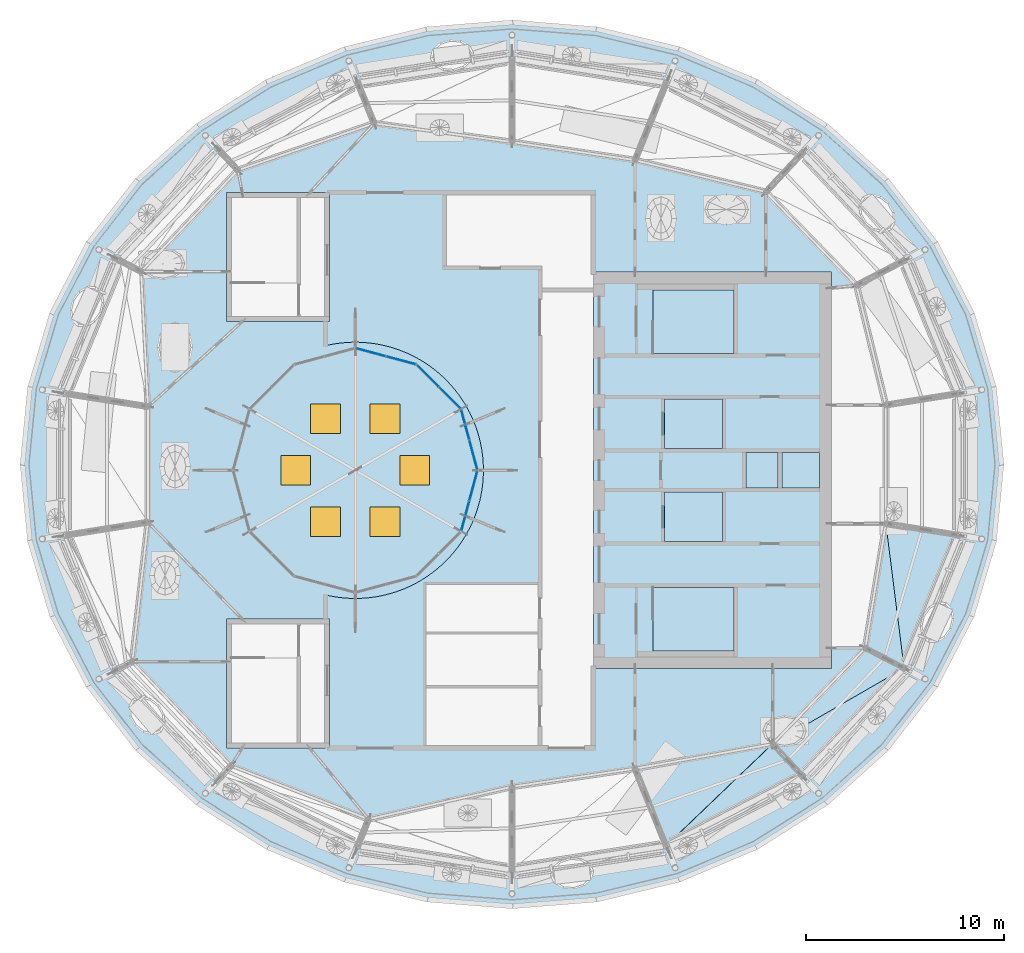
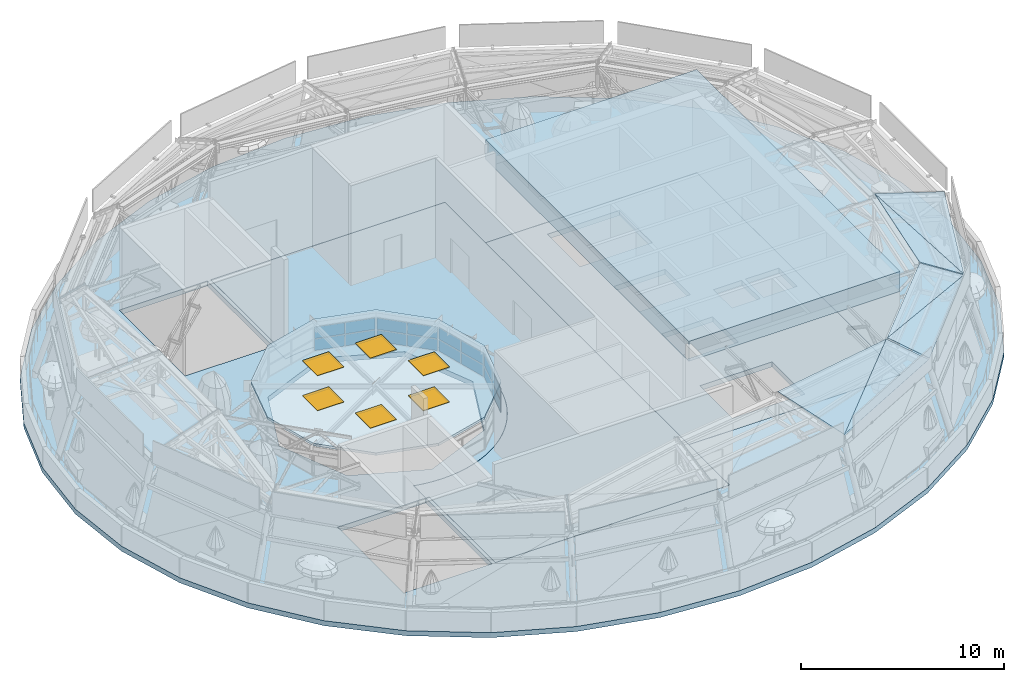
# One storey, part 15 of 40: 22 plates, 6 windows, 5 slabs, 6 openings, 4 elements without a shape of their own.
"""IFC4 building model written with IfcOpenShell, lengths in metres."""

import ifcopenshell
import ifcopenshell.guid

model = None  # the IFC model being written
_history = None  # IfcOwnerHistory: only IFC2X3 demands one
_inside = {}  # id of a spatial element -> (the spatial element, [elements in it])
_under = {}  # id of a project, library or spatial element -> (it, [spatial elements below it])
_declared = {}  # id of a project -> (the project, [libraries it declares])
_typed = {}  # id of a type object -> (the type object, [elements of that type])
_made_of = {}  # id of a material, layer set ... -> (it, [elements and type objects made of it])


def new_model(schema):
    """Start an empty IFC model of exactly this schema.

    Asked for "IFC4X3", IfcOpenShell would pick the latest addendum, in which some entities
    have other attributes; the version numbers below select the first issue.
    IFC2X3 requires an IfcOwnerHistory on every rooted entity: one is made here for all.
    """
    global model, _history
    if schema == "IFC4X3":
        model = ifcopenshell.file(schema_version=(4, 3, 0, 0))
    else:
        model = ifcopenshell.file(schema=schema)
    _inside.clear()
    _under.clear()
    _declared.clear()
    _typed.clear()
    _made_of.clear()
    _history = None
    if model.schema == "IFC2X3":
        org = make("IfcOrganization", Name="unknown")
        user = make(
            "IfcPersonAndOrganization",
            ThePerson=make("IfcPerson", FamilyName="unknown"),
            TheOrganization=org,
        )
        app = make(
            "IfcApplication",
            ApplicationDeveloper=org,
            Version="unknown",
            ApplicationFullName="unknown",
            ApplicationIdentifier="unknown",
        )
        _history = make(
            "IfcOwnerHistory",
            OwningUser=user,
            OwningApplication=app,
            ChangeAction="ADDED",
            CreationDate=0,
        )
    return model


def make(cls, **values):
    """One entity of the class cls with the attributes given. An attribute that is None is left unset."""
    return model.create_entity(
        cls, **{name: value for name, value in values.items() if value is not None}
    )


def rooted(cls, **values):
    """An entity with a GlobalId (a new one), such as an element, a storey or a relation."""
    return make(cls, GlobalId=ifcopenshell.guid.new(), OwnerHistory=_history, **values)


def si_unit(unit_type, name, prefix=None):
    """IfcSIUnit, for example si_unit("LENGTHUNIT", "METRE", prefix="MILLI")."""
    return make("IfcSIUnit", UnitType=unit_type, Prefix=prefix, Name=name)


def assignment(units):
    """IfcUnitAssignment: the units of a project."""
    return None if units is None else make("IfcUnitAssignment", Units=units)


def point(xyz):
    """IfcCartesianPoint."""
    return None if xyz is None else make("IfcCartesianPoint", Coordinates=xyz)


def direction(xyz):
    """IfcDirection."""
    return None if xyz is None else make("IfcDirection", DirectionRatios=xyz)


def frame(location, z_axis=None, x_axis=None):
    """IfcAxis2Placement3D, a coordinate frame: its origin and axes. An axis left out is left unset."""
    return make(
        "IfcAxis2Placement3D",
        Location=point(location),
        Axis=direction(z_axis),
        RefDirection=direction(x_axis),
    )


def frame_2d(location, x_axis=None):
    """IfcAxis2Placement2D, a coordinate frame in the plane: its origin and x axis."""
    return make(
        "IfcAxis2Placement2D", Location=point(location), RefDirection=direction(x_axis)
    )


def origin():
    """The frame at (0, 0, 0) with its axes left unset."""
    return frame((0.0, 0.0, 0.0))


def origin_2d():
    """The frame at (0, 0) in the plane with its x axis left unset."""
    return frame_2d((0.0, 0.0))


def place(relative_to, where):
    """IfcLocalPlacement: puts the frame where relative to a parent placement (None: the world)."""
    return make(
        "IfcLocalPlacement", PlacementRelTo=relative_to, RelativePlacement=where
    )


def context(
    kind, dimensions, precision=None, world=None, true_north=None, identifier=None
):
    """IfcGeometricRepresentationContext, for example the 3D "Model" context."""
    return make(
        "IfcGeometricRepresentationContext",
        ContextIdentifier=identifier,
        ContextType=kind,
        CoordinateSpaceDimension=dimensions,
        Precision=precision,
        WorldCoordinateSystem=world,
        TrueNorth=true_north,
    )


def subcontext(parent, identifier, kind, view, scale=None):
    """IfcGeometricRepresentationSubContext, for example "Body" below "Model"."""
    return make(
        "IfcGeometricRepresentationSubContext",
        ContextIdentifier=identifier,
        ContextType=kind,
        ParentContext=parent,
        TargetScale=scale,
        TargetView=view,
    )


def project(units=None, contexts=None):
    """IfcProject with its units and contexts."""
    return rooted(
        "IfcProject",
        Name="project",
        RepresentationContexts=contexts,
        UnitsInContext=assignment(units),
    )


def spatial(cls, under=None, at=None, **own):
    """A site, building, storey or space (cls), placed at a placement, below another one or the project."""
    s = rooted(cls, ObjectPlacement=at, **own)
    if under is not None:
        _under.setdefault(under.id(), (under, []))[1].append(s)
    return s


def polyline(points):
    """IfcPolyline through the points."""
    return make("IfcPolyline", Points=[point(p) for p in points])


def profile(cls, at=None, kind="AREA", **sizes):
    """A parametric profile (cls). Its sizes go by their IFC names, for example OverallWidth=200.0."""
    return make(cls, ProfileType=kind, Position=at, **sizes)


def rectangle(**sizes):
    """IfcRectangleProfileDef."""
    return profile("IfcRectangleProfileDef", **sizes)


def outline(outer, holes=None, kind="AREA"):
    """IfcArbitraryClosedProfileDef: a profile drawn as a closed curve; with holes, ...WithVoids."""
    if holes is None:
        return make("IfcArbitraryClosedProfileDef", ProfileType=kind, OuterCurve=outer)
    return make(
        "IfcArbitraryProfileDefWithVoids",
        ProfileType=kind,
        OuterCurve=outer,
        InnerCurves=holes,
    )


def extrude(swept, where, along, depth):
    """IfcExtrudedAreaSolid: the profile swept, set in the frame where, extruded along a direction by depth."""
    return make(
        "IfcExtrudedAreaSolid",
        SweptArea=swept,
        Position=where,
        ExtrudedDirection=direction(along),
        Depth=depth,
    )


def shape(context_of_items, identifier, shape_type, items):
    """IfcShapeRepresentation: the items that make up one representation, for example the "Body"."""
    return make(
        "IfcShapeRepresentation",
        ContextOfItems=context_of_items,
        RepresentationIdentifier=identifier,
        RepresentationType=shape_type,
        Items=items,
    )


def material(Name=None, Category=None):
    """IfcMaterial."""
    return make("IfcMaterial", Name=Name, Category=Category)


def layer(
    of_material, thickness, ventilated=None, Name=None, Category=None, Priority=None
):
    """IfcMaterialLayer: one layer of a wall or slab, of a material (None: an air gap)."""
    return make(
        "IfcMaterialLayer",
        Material=of_material,
        LayerThickness=thickness,
        IsVentilated=ventilated,
        Name=Name,
        Category=Category,
        Priority=Priority,
    )


def layer_set(layers, Name=None):
    """IfcMaterialLayerSet."""
    return make("IfcMaterialLayerSet", MaterialLayers=layers, LayerSetName=Name)


def made_of(thing, what):
    """Note that an element or type object is made of a material, layer set ...; save() writes the relation."""
    if what is not None:
        _made_of.setdefault(what.id(), (what, []))[1].append(thing)
    return thing


def type_object(cls, material=None, **own):
    """A type object (cls), such as IfcWallType, which elements share."""
    return made_of(rooted(cls, **own), material)


def element(
    cls,
    number,
    at=None,
    inside=None,
    cuts=None,
    type_object=None,
    material=None,
    context=None,
    identifier="Body",
    shape_type=None,
    held_by="IfcProductDefinitionShape",
    body=None,
    shapes=None,
    **own,
):
    """One element of the class cls, such as IfcWall. Its Tag is "e" and its number.

    at: its placement. inside: the storey or other place that contains it. cuts: it is an
    opening in that element (IfcRelVoidsElement). A single representation is given by context,
    identifier, shape_type and body (its items); several are given by shapes. held_by: the class
    of the entity that holds the representations. save() writes the other relations.
    """
    e = rooted(cls, Tag="e%d" % number, ObjectPlacement=at, **own)
    if body is not None:
        shapes = [shape(context, identifier, shape_type, body)]
    if shapes is not None:
        e.Representation = make(held_by, Representations=shapes)
    if inside is not None:
        _inside.setdefault(inside.id(), (inside, []))[1].append(e)
    if cuts is not None:
        rooted(
            "IfcRelVoidsElement", RelatingBuildingElement=cuts, RelatedOpeningElement=e
        )
    if type_object is not None:
        _typed.setdefault(type_object.id(), (type_object, []))[1].append(e)
    return made_of(e, material)


def fill(opening, filler):
    """IfcRelFillsElement: the door or window that sits in an opening."""
    return rooted(
        "IfcRelFillsElement",
        RelatingOpeningElement=opening,
        RelatedBuildingElement=filler,
    )


def aggregate(whole, parts):
    """IfcRelAggregates: a whole, such as a stair, and the parts it consists of."""
    return rooted("IfcRelAggregates", RelatingObject=whole, RelatedObjects=parts)


def save(model, path):
    """Write the relations noted so far, then the file.

    IfcRelAggregates (storeys below a building ...), IfcRelContainedInSpatialStructure (elements
    in a storey), IfcRelDefinesByType, IfcRelAssociatesMaterial and IfcRelDeclares: one each for
    every whole, place, type object, material and project.
    """
    for whole, parts in _under.values():
        aggregate(whole, parts)
    for where, things in _inside.values():
        rooted(
            "IfcRelContainedInSpatialStructure",
            RelatedElements=things,
            RelatingStructure=where,
        )
    for kind, things in _typed.values():
        rooted("IfcRelDefinesByType", RelatedObjects=things, RelatingType=kind)
    for what, things in _made_of.values():
        rooted("IfcRelAssociatesMaterial", RelatedObjects=things, RelatingMaterial=what)
    for by, libraries in _declared.values():
        rooted("IfcRelDeclares", RelatingContext=by, RelatedDefinitions=libraries)
    model.write(path)


model = new_model("IFC4")

# Units and contexts
model_context = context("Model", 3, precision=1e-05, world=origin(), true_north=direction((0.0, 1.0)))
body_context = subcontext(model_context, "Body", "Model", "MODEL_VIEW")
ifc_project = project(units=[si_unit("LENGTHUNIT", "METRE"), si_unit("AREAUNIT", "SQUARE_METRE"), si_unit("VOLUMEUNIT", "CUBIC_METRE"), si_unit("PLANEANGLEUNIT", "RADIAN"), si_unit("MASSUNIT", "GRAM", prefix="KILO")], contexts=[model_context])

# Site, building, storey
site_placement = place(None, origin())
site = spatial("IfcSite", under=ifc_project, at=site_placement, CompositionType="ELEMENT")
building_placement = place(site_placement, origin())
building = spatial("IfcBuilding", under=site, at=building_placement, Name="Taillehof Tower", CompositionType="ELEMENT")
storey_placement = place(building_placement, frame((0.0, 0.0, 275.199951171875)))
storey = spatial("IfcBuildingStorey", under=building, at=storey_placement, Name="L77", CompositionType="ELEMENT", Elevation=275.199951171875)

# Plates
ifc_material_1 = material(Name="Clear laminated safety glass", Category="glass")
ifc_layer_1 = layer(ifc_material_1, 0.031982421875)
ifc_layer_set_1 = layer_set([ifc_layer_1], Name="Canopy glass panel 32")
plate_type_1 = type_object("IfcPlateType", Name="Canopy glass panel 32", PredefinedType="SHEET", material=ifc_layer_set_1)
plate_1_placement = place(storey_placement, frame((7.69873046875, -18.9052734375, 4.71826171875), z_axis=(0.161509756273, -0.314569470115, 0.935393311447), x_axis=(0.889596800055, 0.456746683986, 0.0)))
element("IfcPlate", 1, at=plate_1_placement, inside=storey, type_object=plate_type_1, Name="Canopy glass panel 15", PredefinedType="SHEET", context=body_context, shape_type="SweptSolid", body=[
    extrude(outline(polyline([(0.0, 0.0), (7.652200464812598, 0.0), (7.050711416249686, 2.24250135362714), (0.0, 0.0)])), origin(), (0.0, 0.0, -1.0), 0.031982421875),
])
plate_2_placement = place(storey_placement, frame((7.69873046875, -18.9052734375, 4.7177734375), z_axis=(0.033608647267, -0.188047587037, 0.981584720663), x_axis=(0.718263790385, 0.687476813933, 0.107110959875)))
element("IfcPlate", 2, at=plate_2_placement, inside=storey, type_object=plate_type_1, Name="Canopy glass panel 15", PredefinedType="SHEET", context=body_context, shape_type="SweptSolid", body=[
    extrude(outline(polyline([(0.0, 0.0), (7.3986870221091845, -3.0531133177191805e-16), (1.6165542654179592, 3.9201535857681615), (0.0, 0.0)])), origin(), (0.0, 0.0, -1.0), 0.031982421875),
])
plate_3_placement = place(storey_placement, frame((14.594482421875, -15.335693359375, 4.717041015625), z_axis=(0.249156151972, -0.23479836933, 0.939569549152), x_axis=(0.685893220649, 0.727702197855, -3.3234481e-05)))
element("IfcPlate", 3, at=plate_3_placement, inside=storey, type_object=plate_type_1, Name="Canopy glass panel 16", PredefinedType="SHEET", context=body_context, shape_type="SweptSolid", body=[
    extrude(outline(polyline([(0.0, 0.0), (7.346003819634972, 2.89942765976936e-16), (0.14083225765921545, 2.2969564866512022), (0.0, 0.0)])), origin(), (0.0, 0.0, -1.0), 0.031982421875),
])
plate_4_placement = place(storey_placement, frame((19.633056640625, -9.989990234375, 4.716796875), z_axis=(0.255161005296, -0.246109755306, 0.935052324589), x_axis=(-0.834936398586, 0.431620555388, 0.341445319901)))
element("IfcPlate", 4, at=plate_4_placement, inside=storey, type_object=plate_type_1, Name="Canopy glass panel 16", PredefinedType="SHEET", context=body_context, shape_type="SweptSolid", body=[
    extrude(outline(polyline([(0.0, 0.0), (2.320243628921533, 1.8041124150158794e-16), (4.112846586442294, 6.413914136668395), (0.0, 0.0)])), origin(), (0.0, 0.0, -1.0), 0.031982421875),
])
plate_5_placement = place(storey_placement, frame((19.66259765625, -9.93701171875, 4.71630859375), z_axis=(0.20074684301, -0.081960992339, 0.976208533438), x_axis=(0.378132082434, 0.925751655181, -3.4108974e-05)))
element("IfcPlate", 5, at=plate_5_placement, inside=storey, type_object=plate_type_1, Name="Canopy glass panel 17", PredefinedType="SHEET", context=body_context, shape_type="SweptSolid", body=[
    extrude(outline(polyline([(0.0, 0.0), (7.157665520811731, 4.673046888684085e-16), (6.319124082638313, 3.6478953587112795), (0.0, 0.0)])), origin(), (0.0, 0.0, -1.0), 0.031982421875),
])
plate_6_placement = place(storey_placement, frame((19.66259765625, -9.93701171875, 4.715576171875), z_axis=(0.352604448886, -0.058174842673, 0.933962413754), x_axis=(-0.124335517171, 0.986303843378, 0.108376232206)))
element("IfcPlate", 6, at=plate_6_placement, inside=storey, type_object=plate_type_1, Name="Canopy glass panel 17", PredefinedType="SHEET", context=body_context, shape_type="SweptSolid", body=[
    extrude(outline(polyline([(0.0, 0.0), (7.3123087287406054, 5.551115123125783e-17), (1.3207060426294572, 1.905371988174234), (0.0, 0.0)])), origin(), (0.0, 0.0, -1.0), 0.031982421875),
])

# Slabs
ifc_material_2 = material(Name="Concrete C40/50", Category="concrete")
ifc_layer_2 = layer(ifc_material_2, 1.199951171875)
ifc_layer_set_2 = layer_set([ifc_layer_2], Name="Core cap plate C40/50 1200")
slab_type_1 = type_object("IfcSlabType", Name="Core cap plate C40/50 1200", PredefinedType="ROOF", material=ifc_layer_set_2)
slab_1_placement = place(storey_placement, frame((0.0, 0.0, 5.0)))
element("IfcSlab", 7, at=slab_1_placement, inside=storey, type_object=slab_type_1, Name="Core cap plate", PredefinedType="ROOF", context=body_context, shape_type="SweptSolid", body=[
    extrude(outline(polyline([(4.0, -10.0), (16.0, -10.0), (16.0, 10.0), (4.0, 10.0), (4.0, -10.0)])), origin(), (0.0, 0.0, 1.0), 1.199951171875),
])
ifc_material_3 = material(Name="Concrete C40/50", Category="concrete")
ifc_layer_3 = layer(ifc_material_3, 0.300048828125)
ifc_layer_set_3 = layer_set([ifc_layer_3], Name="Core floor slab C40/50 300")
slab_type_2 = type_object("IfcSlabType", Name="Core floor slab C40/50 300", PredefinedType="FLOOR", material=ifc_layer_set_3)
slab_2_placement = place(storey_placement, frame((0.0, 0.0, -0.300048828125)))
element("IfcSlab", 8, at=slab_2_placement, inside=storey, type_object=slab_type_2, Name="Core floor L77", PredefinedType="FLOOR", context=body_context, shape_type="SweptSolid", body=[
    extrude(outline(polyline([(4.0, -10.0), (4.0, 10.0), (16.0, 10.0), (16.0, -10.0), (4.0, -10.0)]), holes=[polyline([(11.10009765625, -5.89990234375), (7.00048828125, -5.89990234375), (7.00048828125, -9.10009765625), (11.10009765625, -9.10009765625), (11.10009765625, -5.89990234375)]), polyline([(10.5, -1.10009765625), (7.60009765625, -1.10009765625), (7.60009765625, -3.60009765625), (10.5, -3.60009765625), (10.5, -1.10009765625)]), polyline([(13.300048828125, 0.89990234375), (11.699951171875, 0.89990234375), (11.699951171875, -0.89990234375), (13.300048828125, -0.89990234375), (13.300048828125, 0.89990234375)]), polyline([(13.5, 0.89990234375), (13.5, -0.89990234375), (15.39990234375, -0.89990234375), (15.39990234375, 0.89990234375), (13.5, 0.89990234375)]), polyline([(10.5, 3.60009765625), (7.60009765625, 3.60009765625), (7.60009765625, 1.10009765625), (10.5, 1.10009765625), (10.5, 3.60009765625)]), polyline([(11.10009765625, 9.10009765625), (7.00048828125, 9.10009765625), (7.00048828125, 5.89990234375), (11.10009765625, 5.89990234375), (11.10009765625, 9.10009765625)])]), origin(), (0.0, 0.0, 1.0), 0.300048828125),
])
ifc_material_4 = material(Name="Concrete C40/50", Category="concrete")
ifc_layer_4 = layer(ifc_material_4, 0.300048828125)
ifc_layer_set_4 = layer_set([ifc_layer_4], Name="Crown terrace slab 300")
slab_type_3 = type_object("IfcSlabType", Name="Crown terrace slab 300", PredefinedType="ROOF", material=ifc_layer_set_4)
slab_3_placement = place(storey_placement, frame((0.0, 0.0, -0.300048828125)))
element("IfcSlab", 9, at=slab_3_placement, inside=storey, type_object=slab_type_3, Name="Floor slab L77", PredefinedType="ROOF", context=body_context, shape_type="SweptSolid", body=[
    extrude(outline(polyline([(24.3232421875, -3.589599609375), (23.204345703125, -7.361328125), (21.37744140625, -10.89990234375), (18.89794921875, -14.098388671875), (15.841064453125, -16.859375), (12.300048828125, -19.09912109375), (8.382080078125, -20.7490234375), (4.20654296875, -21.759765625), (-0.10009765625, -22.10009765625), (-4.406494140625, -21.759765625), (-8.58203125, -20.7490234375), (-12.5, -19.09912109375), (-16.041015625, -16.859375), (-19.097900390625, -14.098388671875), (-21.577392578125, -10.89990234375), (-23.404296875, -7.361328125), (-24.523193359375, -3.589599609375), (-24.89990234375, 0.300048828125), (-24.523193359375, 4.189697265625), (-23.404296875, 7.961181640625), (-21.577392578125, 11.5), (-19.097900390625, 14.698486328125), (-16.041015625, 17.45947265625), (-12.5, 19.698974609375), (-8.58203125, 21.34912109375), (-4.406494140625, 22.359619140625), (-0.10009765625, 22.699951171875), (4.20654296875, 22.359619140625), (8.382080078125, 21.34912109375), (12.300048828125, 19.698974609375), (15.841064453125, 17.45947265625), (18.89794921875, 14.698486328125), (21.37744140625, 11.5), (23.204345703125, 7.961181640625), (24.3232421875, 4.189697265625), (24.699951171875, 0.300048828125), (24.3232421875, -3.589599609375)]), holes=[polyline([(-14.501953125, -14.001953125), (-9.498046875, -14.001953125), (-9.498046875, -7.501953125), (-9.302001953125, -7.501953125), (-9.302001953125, -14.001953125), (4.001953125, -14.001953125), (4.001953125, -10.001953125), (16.001953125, -10.001953125), (16.001953125, 10.001953125), (4.001953125, 10.001953125), (4.001953125, 14.001953125), (-9.302001953125, 14.001953125), (-9.302001953125, 7.501953125), (-9.498046875, 7.501953125), (-9.498046875, 14.001953125), (-14.501953125, 14.001953125), (-14.501953125, 7.498046875), (-9.501953125, 7.498046875), (-9.501953125, 6.280517578125), (-9.466552734375, 6.289306640625), (-9.260009765625, 6.333984375), (-9.052001953125, 6.37158203125), (-8.843017578125, 6.40283203125), (-8.633056640625, 6.427001953125), (-8.42236328125, 6.444091796875), (-8.211181640625, 6.45458984375), (-8.0, 6.4580078125), (-7.788818359375, 6.45458984375), (-7.57763671875, 6.444091796875), (-7.366943359375, 6.427001953125), (-7.156982421875, 6.40283203125), (-6.947998046875, 6.37158203125), (-6.739990234375, 6.333984375), (-6.533447265625, 6.289306640625), (-6.32861328125, 6.23779296875), (-6.125244140625, 6.179931640625), (-5.924072265625, 6.115234375), (-5.72509765625, 6.044189453125), (-5.528564453125, 5.96630859375), (-5.334716796875, 5.88232421875), (-5.143798828125, 5.7919921875), (-4.955810546875, 5.6953125), (-4.77099609375, 5.5927734375), (-4.589599609375, 5.484130859375), (-4.412109375, 5.36962890625), (-4.23828125, 5.24951171875), (-4.068603515625, 5.12353515625), (-3.903076171875, 4.9921875), (-3.741943359375, 4.85546875), (-3.58544921875, 4.71337890625), (-3.43359375, 4.56640625), (-3.28662109375, 4.41455078125), (-3.14453125, 4.258056640625), (-3.0078125, 4.096923828125), (-2.87646484375, 3.931396484375), (-2.75048828125, 3.76171875), (-2.63037109375, 3.587890625), (-2.515869140625, 3.410400390625), (-2.4072265625, 3.22900390625), (-2.3046875, 3.044189453125), (-2.2080078125, 2.856201171875), (-2.11767578125, 2.665283203125), (-2.03369140625, 2.471435546875), (-1.955810546875, 2.27490234375), (-1.884765625, 2.075927734375), (-1.820068359375, 1.874755859375), (-1.76220703125, 1.67138671875), (-1.710693359375, 1.466552734375), (-1.666015625, 1.260009765625), (-1.62841796875, 1.052001953125), (-1.59716796875, 0.843017578125), (-1.572998046875, 0.633056640625), (-1.555908203125, 0.42236328125), (-1.54541015625, 0.211181640625), (-1.5419921875, 0.0), (-1.54541015625, -0.211181640625), (-1.555908203125, -0.42236328125), (-1.572998046875, -0.633056640625), (-1.59716796875, -0.843017578125), (-1.62841796875, -1.052001953125), (-1.666015625, -1.260009765625), (-1.710693359375, -1.466552734375), (-1.76220703125, -1.67138671875), (-1.820068359375, -1.874755859375), (-1.884765625, -2.075927734375), (-1.955810546875, -2.27490234375), (-2.03369140625, -2.471435546875), (-2.11767578125, -2.665283203125), (-2.2080078125, -2.856201171875), (-2.3046875, -3.044189453125), (-2.4072265625, -3.22900390625), (-2.515869140625, -3.410400390625), (-2.63037109375, -3.587890625), (-2.75048828125, -3.76171875), (-2.87646484375, -3.931396484375), (-3.0078125, -4.096923828125), (-3.14453125, -4.258056640625), (-3.28662109375, -4.41455078125), (-3.43359375, -4.56640625), (-3.58544921875, -4.71337890625), (-3.741943359375, -4.85546875), (-3.903076171875, -4.9921875), (-4.068603515625, -5.12353515625), (-4.23828125, -5.24951171875), (-4.412109375, -5.36962890625), (-4.589599609375, -5.484130859375), (-4.77099609375, -5.5927734375), (-4.955810546875, -5.6953125), (-5.143798828125, -5.7919921875), (-5.334716796875, -5.88232421875), (-5.528564453125, -5.96630859375), (-5.72509765625, -6.044189453125), (-5.924072265625, -6.115234375), (-6.125244140625, -6.179931640625), (-6.32861328125, -6.23779296875), (-6.533447265625, -6.289306640625), (-6.739990234375, -6.333984375), (-6.947998046875, -6.37158203125), (-7.156982421875, -6.40283203125), (-7.366943359375, -6.427001953125), (-7.57763671875, -6.444091796875), (-7.788818359375, -6.45458984375), (-8.0, -6.4580078125), (-8.211181640625, -6.45458984375), (-8.42236328125, -6.444091796875), (-8.633056640625, -6.427001953125), (-8.843017578125, -6.40283203125), (-9.052001953125, -6.37158203125), (-9.260009765625, -6.333984375), (-9.466552734375, -6.289306640625), (-9.501953125, -6.280517578125), (-9.501953125, -7.498046875), (-14.501953125, -7.498046875), (-14.501953125, -14.001953125)]), polyline([(-11.890625, 3.890625), (-13.502197265625, 0.0), (-11.890625, -3.890625), (-8.0, -5.502197265625), (-4.109375, -3.890625), (-2.497802734375, 0.0), (-4.109375, 3.890625), (-8.0, 5.502197265625), (-11.890625, 3.890625)])]), origin(), (0.0, 0.0, 1.0), 0.300048828125),
])
ifc_material_5 = material(Name="Concrete C40/50", Category="concrete")
ifc_layer_5 = layer(ifc_material_5, 0.300048828125)
ifc_layer_set_5 = layer_set([ifc_layer_5], Name="Floor slab 300")
slab_type_4 = type_object("IfcSlabType", Name="Floor slab 300", PredefinedType="FLOOR", material=ifc_layer_set_5)
slab_4_placement = place(storey_placement, frame((0.0, 0.0, -0.300048828125)))
element("IfcSlab", 10, at=slab_4_placement, inside=storey, type_object=slab_type_4, Name="Crown lobby floor slab L77", PredefinedType="FLOOR", context=body_context, shape_type="SweptSolid", body=[
    extrude(outline(polyline([(-9.300048828125, -14.0), (-9.300048828125, -7.5), (-9.5, -7.5), (-9.5, -6.282958984375), (-9.466796875, -6.291259765625), (-9.26025390625, -6.3359375), (-9.05224609375, -6.373779296875), (-8.84326171875, -6.40478515625), (-8.63330078125, -6.428955078125), (-8.422607421875, -6.4462890625), (-8.21142578125, -6.45654296875), (-8.0, -6.4599609375), (-7.78857421875, -6.45654296875), (-7.577392578125, -6.4462890625), (-7.36669921875, -6.428955078125), (-7.15673828125, -6.40478515625), (-6.94775390625, -6.373779296875), (-6.73974609375, -6.3359375), (-6.533203125, -6.291259765625), (-6.327880859375, -6.239990234375), (-6.124755859375, -6.181884765625), (-5.923583984375, -6.1171875), (-5.724609375, -6.0458984375), (-5.52783203125, -5.96826171875), (-5.333984375, -5.88427734375), (-5.142822265625, -5.793701171875), (-4.954833984375, -5.697265625), (-4.77001953125, -5.594482421875), (-4.588623046875, -5.48583984375), (-4.410888671875, -5.371337890625), (-4.2373046875, -5.2509765625), (-4.0673828125, -5.125), (-3.90185546875, -4.99365234375), (-3.740478515625, -4.85693359375), (-3.583984375, -4.71484375), (-3.43212890625, -4.56787109375), (-3.28515625, -4.416015625), (-3.14306640625, -4.259521484375), (-3.00634765625, -4.09814453125), (-2.875, -3.9326171875), (-2.7490234375, -3.7626953125), (-2.628662109375, -3.589111328125), (-2.51416015625, -3.411376953125), (-2.405517578125, -3.22998046875), (-2.302734375, -3.045166015625), (-2.206298828125, -2.857177734375), (-2.11572265625, -2.666015625), (-2.03173828125, -2.47216796875), (-1.9541015625, -2.275390625), (-1.8828125, -2.076416015625), (-1.818115234375, -1.875244140625), (-1.760009765625, -1.672119140625), (-1.708740234375, -1.466796875), (-1.6640625, -1.26025390625), (-1.626220703125, -1.05224609375), (-1.59521484375, -0.84326171875), (-1.571044921875, -0.63330078125), (-1.5537109375, -0.422607421875), (-1.54345703125, -0.21142578125), (-1.5400390625, 0.0), (-1.54345703125, 0.21142578125), (-1.5537109375, 0.422607421875), (-1.571044921875, 0.63330078125), (-1.59521484375, 0.84326171875), (-1.626220703125, 1.05224609375), (-1.6640625, 1.26025390625), (-1.708740234375, 1.466796875), (-1.760009765625, 1.672119140625), (-1.818115234375, 1.875244140625), (-1.8828125, 2.076416015625), (-1.9541015625, 2.275390625), (-2.03173828125, 2.47216796875), (-2.11572265625, 2.666015625), (-2.206298828125, 2.857177734375), (-2.302734375, 3.045166015625), (-2.405517578125, 3.22998046875), (-2.51416015625, 3.411376953125), (-2.628662109375, 3.589111328125), (-2.7490234375, 3.7626953125), (-2.875, 3.9326171875), (-3.00634765625, 4.09814453125), (-3.14306640625, 4.259521484375), (-3.28515625, 4.416015625), (-3.43212890625, 4.56787109375), (-3.583984375, 4.71484375), (-3.740478515625, 4.85693359375), (-3.90185546875, 4.99365234375), (-4.0673828125, 5.125), (-4.2373046875, 5.2509765625), (-4.410888671875, 5.371337890625), (-4.588623046875, 5.48583984375), (-4.77001953125, 5.594482421875), (-4.954833984375, 5.697265625), (-5.142822265625, 5.793701171875), (-5.333984375, 5.88427734375), (-5.52783203125, 5.96826171875), (-5.724609375, 6.0458984375), (-5.923583984375, 6.1171875), (-6.124755859375, 6.181884765625), (-6.327880859375, 6.239990234375), (-6.533203125, 6.291259765625), (-6.73974609375, 6.3359375), (-6.94775390625, 6.373779296875), (-7.15673828125, 6.40478515625), (-7.36669921875, 6.428955078125), (-7.577392578125, 6.4462890625), (-7.78857421875, 6.45654296875), (-8.0, 6.4599609375), (-8.21142578125, 6.45654296875), (-8.422607421875, 6.4462890625), (-8.63330078125, 6.428955078125), (-8.84326171875, 6.40478515625), (-9.05224609375, 6.373779296875), (-9.26025390625, 6.3359375), (-9.466796875, 6.291259765625), (-9.5, 6.282958984375), (-9.5, 7.5), (-9.300048828125, 7.5), (-9.300048828125, 14.0), (-3.5, 14.0), (1.300048828125, 14.0), (4.0, 14.0), (4.0, 10.0), (4.0, 9.10009765625), (4.0, -10.0), (4.0, -14.0), (1.300048828125, -14.0), (-4.5, -14.0), (-9.300048828125, -14.0)])), origin(), (0.0, 0.0, 1.0), 0.300048828125),
])

# Slab, openings, windows
ifc_material_6 = material(Name="Aluminium standing-seam roof deck", Category="aluminium")
ifc_layer_6 = layer(ifc_material_6, 0.14990234375)
ifc_layer_set_6 = layer_set([ifc_layer_6], Name="Lantern roof 150")
slab_type_5 = type_object("IfcSlabType", Name="Lantern roof 150", PredefinedType="ROOF", material=ifc_layer_set_6)
slab_5_placement = place(storey_placement, frame((0.0, 0.0, 1.800048828125)))
slab_5 = element("IfcSlab", 11, at=slab_5_placement, inside=storey, type_object=slab_type_5, Name="Roof lantern roof", PredefinedType="ROOF", context=body_context, shape_type="SweptSolid", body=[
    extrude(outline(polyline([(-1.840087890625, 0.0), (-2.665283203125, 3.080078125), (-4.919921875, 5.334716796875), (-8.0, 6.159912109375), (-11.080078125, 5.334716796875), (-13.334716796875, 3.080078125), (-14.159912109375, 0.0), (-13.334716796875, -3.080078125), (-11.080078125, -5.334716796875), (-8.0, -6.159912109375), (-4.919921875, -5.334716796875), (-2.665283203125, -3.080078125), (-1.840087890625, 0.0)])), origin(), (0.0, 0.0, 1.0), 0.14990234375),
])
opening_1_placement = place(slab_5_placement, frame((-5.0, 0.0, 0.0)))
opening_1 = element("IfcOpeningElement", 12, at=opening_1_placement, cuts=slab_5, Name="Opening SK1", PredefinedType="OPENING", context=body_context, shape_type="SweptSolid", body=[
    extrude(rectangle(XDim=1.5, YDim=1.5, at=origin_2d()), origin(), (0.0, 0.0, 1.0), 0.14990234375),
])
opening_2_placement = place(slab_5_placement, frame((-6.5, 2.59814453125, 0.0)))
opening_2 = element("IfcOpeningElement", 13, at=opening_2_placement, cuts=slab_5, Name="Opening SK2", PredefinedType="OPENING", context=body_context, shape_type="SweptSolid", body=[
    extrude(rectangle(XDim=1.5, YDim=1.5, at=origin_2d()), origin(), (0.0, 0.0, 1.0), 0.14990234375),
])
opening_3_placement = place(slab_5_placement, frame((-9.5, 2.59814453125, 0.0)))
opening_3 = element("IfcOpeningElement", 14, at=opening_3_placement, cuts=slab_5, Name="Opening SK3", PredefinedType="OPENING", context=body_context, shape_type="SweptSolid", body=[
    extrude(rectangle(XDim=1.5, YDim=1.5, at=origin_2d()), origin(), (0.0, 0.0, 1.0), 0.14990234375),
])
opening_4_placement = place(slab_5_placement, frame((-11.0, 0.0, 0.0)))
opening_4 = element("IfcOpeningElement", 15, at=opening_4_placement, cuts=slab_5, Name="Opening SK4", PredefinedType="OPENING", context=body_context, shape_type="SweptSolid", body=[
    extrude(rectangle(XDim=1.5, YDim=1.5, at=origin_2d()), origin(), (0.0, 0.0, 1.0), 0.14990234375),
])
opening_5_placement = place(slab_5_placement, frame((-9.5, -2.59814453125, 0.0)))
opening_5 = element("IfcOpeningElement", 16, at=opening_5_placement, cuts=slab_5, Name="Opening SK5", PredefinedType="OPENING", context=body_context, shape_type="SweptSolid", body=[
    extrude(rectangle(XDim=1.5, YDim=1.5, at=origin_2d()), origin(), (0.0, 0.0, 1.0), 0.14990234375),
])
opening_6_placement = place(slab_5_placement, frame((-6.5, -2.59814453125, 0.0)))
opening_6 = element("IfcOpeningElement", 17, at=opening_6_placement, cuts=slab_5, Name="Opening SK6", PredefinedType="OPENING", context=body_context, shape_type="SweptSolid", body=[
    extrude(rectangle(XDim=1.5, YDim=1.5, at=origin_2d()), origin(), (0.0, 0.0, 1.0), 0.14990234375),
])
ifc_material_7 = material(Name="Aluminium window frame with clear laminated safety glass", Category="aluminium")
window_type = type_object("IfcWindowType", Name="Lantern skylight 1500x1500", PartitioningType="SINGLE_PANEL", PredefinedType="SKYLIGHT", material=ifc_material_7)
window_1_placement = place(opening_1_placement, frame((0.0, 0.0, 0.099853515625)))
window_1 = element("IfcWindow", 18, at=window_1_placement, inside=storey, type_object=window_type, Name="Lantern skylight 1", OverallHeight=1.5, OverallWidth=1.5, PartitioningType="SINGLE_PANEL", PredefinedType="SKYLIGHT", context=body_context, shape_type="SweptSolid", body=[
    extrude(rectangle(XDim=1.5, YDim=1.5, at=origin_2d()), origin(), (0.0, 0.0, 1.0), 0.050048828125),
])
fill(opening_1, window_1)
window_2_placement = place(opening_2_placement, frame((0.0, 0.0, 0.099853515625)))
window_2 = element("IfcWindow", 19, at=window_2_placement, inside=storey, type_object=window_type, Name="Lantern skylight 2", OverallHeight=1.5, OverallWidth=1.5, PartitioningType="SINGLE_PANEL", PredefinedType="SKYLIGHT", context=body_context, shape_type="SweptSolid", body=[
    extrude(rectangle(XDim=1.5, YDim=1.5, at=origin_2d()), origin(), (0.0, 0.0, 1.0), 0.050048828125),
])
fill(opening_2, window_2)
window_3_placement = place(opening_3_placement, frame((0.0, 0.0, 0.099853515625)))
window_3 = element("IfcWindow", 20, at=window_3_placement, inside=storey, type_object=window_type, Name="Lantern skylight 3", OverallHeight=1.5, OverallWidth=1.5, PartitioningType="SINGLE_PANEL", PredefinedType="SKYLIGHT", context=body_context, shape_type="SweptSolid", body=[
    extrude(rectangle(XDim=1.5, YDim=1.5, at=origin_2d()), origin(), (0.0, 0.0, 1.0), 0.050048828125),
])
fill(opening_3, window_3)
window_4_placement = place(opening_4_placement, frame((0.0, 0.0, 0.099853515625)))
window_4 = element("IfcWindow", 21, at=window_4_placement, inside=storey, type_object=window_type, Name="Lantern skylight 4", OverallHeight=1.5, OverallWidth=1.5, PartitioningType="SINGLE_PANEL", PredefinedType="SKYLIGHT", context=body_context, shape_type="SweptSolid", body=[
    extrude(rectangle(XDim=1.5, YDim=1.5, at=origin_2d()), origin(), (0.0, 0.0, 1.0), 0.050048828125),
])
fill(opening_4, window_4)
window_5_placement = place(opening_5_placement, frame((0.0, 0.0, 0.099853515625)))
window_5 = element("IfcWindow", 22, at=window_5_placement, inside=storey, type_object=window_type, Name="Lantern skylight 5", OverallHeight=1.5, OverallWidth=1.5, PartitioningType="SINGLE_PANEL", PredefinedType="SKYLIGHT", context=body_context, shape_type="SweptSolid", body=[
    extrude(rectangle(XDim=1.5, YDim=1.5, at=origin_2d()), origin(), (0.0, 0.0, 1.0), 0.050048828125),
])
fill(opening_5, window_5)
window_6_placement = place(opening_6_placement, frame((0.0, 0.0, 0.099853515625)))
window_6 = element("IfcWindow", 23, at=window_6_placement, inside=storey, type_object=window_type, Name="Lantern skylight 6", OverallHeight=1.5, OverallWidth=1.5, PartitioningType="SINGLE_PANEL", PredefinedType="SKYLIGHT", context=body_context, shape_type="SweptSolid", body=[
    extrude(rectangle(XDim=1.5, YDim=1.5, at=origin_2d()), origin(), (0.0, 0.0, 1.0), 0.050048828125),
])
fill(opening_6, window_6)

# Curtain wall, plates
ifc_material_8 = material(Name="Aluminium curtain wall with Clear low-emissivity double glazing", Category="aluminium")
curtain_wall_type = type_object("IfcCurtainWallType", Name="Roof lantern curtain wall", PredefinedType="USERDEFINED", material=ifc_material_8)
curtain_wall_1_placement = place(storey_placement, origin())
curtain_wall_1 = element("IfcCurtainWall", 24, at=curtain_wall_1_placement, inside=storey, type_object=curtain_wall_type, Name="Roof lantern bay 1", ObjectType="WINDOW WALL", PredefinedType="USERDEFINED")
ifc_material_9 = material(Name="Clear low-emissivity double glazing", Category="glass")
ifc_layer_7 = layer(ifc_material_9, 0.028076171875)
ifc_layer_set_7 = layer_set([ifc_layer_7], Name="Roof lantern glass panel 28")
plate_type_2 = type_object("IfcPlateType", Name="Roof lantern glass panel 28", PredefinedType="CURTAIN_PANEL", material=ifc_layer_set_7)
plate_7_placement = place(storey_placement, frame((-2.049560546875, 0.781982421875, 0.0498046875), z_axis=(0.0, 0.0, 1.0), x_axis=(-0.258819045103, 0.965925826289, 0.0)))
plate_7 = element("IfcPlate", 25, at=plate_7_placement, type_object=plate_type_2, Name="CT701 panel 1.1", PredefinedType="CURTAIN_PANEL", context=body_context, shape_type="SweptSolid", body=[
    extrude(rectangle(XDim=1.519287109375, YDim=0.028076171875, at=origin_2d()), origin(), (0.0, 0.0, 1.0), 0.675048828125),
])
plate_8_placement = place(storey_placement, frame((-2.049560546875, 0.781982421875, 0.77490234375), z_axis=(0.0, 0.0, 1.0), x_axis=(-0.258819045103, 0.965925826289, 0.0)))
plate_8 = element("IfcPlate", 26, at=plate_8_placement, type_object=plate_type_2, Name="CT701 panel 1.2", PredefinedType="CURTAIN_PANEL", context=body_context, shape_type="SweptSolid", body=[
    extrude(rectangle(XDim=1.519287109375, YDim=0.028076171875, at=origin_2d()), origin(), (0.0, 0.0, 1.0), 0.675048828125),
])
plate_9_placement = place(storey_placement, frame((-2.455810546875, 2.2978515625, 0.0498046875), z_axis=(0.0, 0.0, 1.0), x_axis=(-0.258819045103, 0.965925826289, 0.0)))
plate_9 = element("IfcPlate", 27, at=plate_9_placement, type_object=plate_type_2, Name="CT701 panel 2.1", PredefinedType="CURTAIN_PANEL", context=body_context, shape_type="SweptSolid", body=[
    extrude(rectangle(XDim=1.519287109375, YDim=0.028076171875, at=origin_2d()), origin(), (0.0, 0.0, 1.0), 0.675048828125),
])
plate_10_placement = place(storey_placement, frame((-2.455810546875, 2.2978515625, 0.77490234375), z_axis=(0.0, 0.0, 1.0), x_axis=(-0.258819045103, 0.965925826289, 0.0)))
plate_10 = element("IfcPlate", 28, at=plate_10_placement, type_object=plate_type_2, Name="CT701 panel 2.2", PredefinedType="CURTAIN_PANEL", context=body_context, shape_type="SweptSolid", body=[
    extrude(rectangle(XDim=1.519287109375, YDim=0.028076171875, at=origin_2d()), origin(), (0.0, 0.0, 1.0), 0.675048828125),
])
aggregate(curtain_wall_1, [plate_7, plate_8, plate_9, plate_10])

curtain_wall_2_placement = place(storey_placement, origin())
curtain_wall_2 = element("IfcCurtainWall", 29, at=curtain_wall_2_placement, inside=storey, type_object=curtain_wall_type, Name="Roof lantern bay 2", ObjectType="WINDOW WALL", PredefinedType="USERDEFINED")
plate_11_placement = place(storey_placement, frame((-3.23779296875, 3.652587890625, 0.0498046875), z_axis=(0.0, 0.0, 1.0), x_axis=(-0.707106781187, 0.707106781187, 0.0)))
plate_11 = element("IfcPlate", 30, at=plate_11_placement, type_object=plate_type_2, Name="CT702 panel 1.1", PredefinedType="CURTAIN_PANEL", context=body_context, shape_type="SweptSolid", body=[
    extrude(rectangle(XDim=1.519287109375, YDim=0.028076171875, at=origin_2d()), origin(), (0.0, 0.0, 1.0), 0.675048828125),
])
plate_12_placement = place(storey_placement, frame((-3.23779296875, 3.652587890625, 0.77490234375), z_axis=(0.0, 0.0, 1.0), x_axis=(-0.707106781187, 0.707106781187, 0.0)))
plate_12 = element("IfcPlate", 31, at=plate_12_placement, type_object=plate_type_2, Name="CT702 panel 1.2", PredefinedType="CURTAIN_PANEL", context=body_context, shape_type="SweptSolid", body=[
    extrude(rectangle(XDim=1.519287109375, YDim=0.028076171875, at=origin_2d()), origin(), (0.0, 0.0, 1.0), 0.675048828125),
])
plate_13_placement = place(storey_placement, frame((-4.347412109375, 4.76220703125, 0.0498046875), z_axis=(0.0, 0.0, 1.0), x_axis=(-0.707106781187, 0.707106781187, 0.0)))
plate_13 = element("IfcPlate", 32, at=plate_13_placement, type_object=plate_type_2, Name="CT702 panel 2.1", PredefinedType="CURTAIN_PANEL", context=body_context, shape_type="SweptSolid", body=[
    extrude(rectangle(XDim=1.519287109375, YDim=0.028076171875, at=origin_2d()), origin(), (0.0, 0.0, 1.0), 0.675048828125),
])
plate_14_placement = place(storey_placement, frame((-4.347412109375, 4.76220703125, 0.77490234375), z_axis=(0.0, 0.0, 1.0), x_axis=(-0.707106781187, 0.707106781187, 0.0)))
plate_14 = element("IfcPlate", 33, at=plate_14_placement, type_object=plate_type_2, Name="CT702 panel 2.2", PredefinedType="CURTAIN_PANEL", context=body_context, shape_type="SweptSolid", body=[
    extrude(rectangle(XDim=1.519287109375, YDim=0.028076171875, at=origin_2d()), origin(), (0.0, 0.0, 1.0), 0.675048828125),
])
aggregate(curtain_wall_2, [plate_11, plate_12, plate_13, plate_14])

curtain_wall_3_placement = place(storey_placement, origin())
curtain_wall_3 = element("IfcCurtainWall", 34, at=curtain_wall_3_placement, inside=storey, type_object=curtain_wall_type, Name="Roof lantern bay 3", ObjectType="WINDOW WALL", PredefinedType="USERDEFINED")
plate_15_placement = place(storey_placement, frame((-5.7021484375, 5.544189453125, 0.0498046875), z_axis=(0.0, 0.0, 1.0), x_axis=(-0.965925826289, 0.258819045103, 0.0)))
plate_15 = element("IfcPlate", 35, at=plate_15_placement, type_object=plate_type_2, Name="CT703 panel 1.1", PredefinedType="CURTAIN_PANEL", context=body_context, shape_type="SweptSolid", body=[
    extrude(rectangle(XDim=1.519287109375, YDim=0.028076171875, at=origin_2d()), origin(), (0.0, 0.0, 1.0), 0.675048828125),
])
plate_16_placement = place(storey_placement, frame((-5.7021484375, 5.544189453125, 0.77490234375), z_axis=(0.0, 0.0, 1.0), x_axis=(-0.965925826289, 0.258819045103, 0.0)))
plate_16 = element("IfcPlate", 36, at=plate_16_placement, type_object=plate_type_2, Name="CT703 panel 1.2", PredefinedType="CURTAIN_PANEL", context=body_context, shape_type="SweptSolid", body=[
    extrude(rectangle(XDim=1.519287109375, YDim=0.028076171875, at=origin_2d()), origin(), (0.0, 0.0, 1.0), 0.675048828125),
])
plate_17_placement = place(storey_placement, frame((-7.218017578125, 5.950439453125, 0.0498046875), z_axis=(0.0, 0.0, 1.0), x_axis=(-0.965925826289, 0.258819045103, 0.0)))
plate_17 = element("IfcPlate", 37, at=plate_17_placement, type_object=plate_type_2, Name="CT703 panel 2.1", PredefinedType="CURTAIN_PANEL", context=body_context, shape_type="SweptSolid", body=[
    extrude(rectangle(XDim=1.519287109375, YDim=0.028076171875, at=origin_2d()), origin(), (0.0, 0.0, 1.0), 0.675048828125),
])
plate_18_placement = place(storey_placement, frame((-7.218017578125, 5.950439453125, 0.77490234375), z_axis=(0.0, 0.0, 1.0), x_axis=(-0.965925826289, 0.258819045103, 0.0)))
plate_18 = element("IfcPlate", 38, at=plate_18_placement, type_object=plate_type_2, Name="CT703 panel 2.2", PredefinedType="CURTAIN_PANEL", context=body_context, shape_type="SweptSolid", body=[
    extrude(rectangle(XDim=1.519287109375, YDim=0.028076171875, at=origin_2d()), origin(), (0.0, 0.0, 1.0), 0.675048828125),
])
aggregate(curtain_wall_3, [plate_15, plate_16, plate_17, plate_18])

curtain_wall_4_placement = place(storey_placement, origin())
curtain_wall_4 = element("IfcCurtainWall", 39, at=curtain_wall_4_placement, inside=storey, type_object=curtain_wall_type, Name="Roof lantern bay 12", ObjectType="WINDOW WALL", PredefinedType="USERDEFINED")
plate_19_placement = place(storey_placement, frame((-2.455810546875, -2.2978515625, 0.0498046875), z_axis=(0.0, 0.0, 1.0), x_axis=(0.258819045103, 0.965925826289, 0.0)))
plate_19 = element("IfcPlate", 40, at=plate_19_placement, type_object=plate_type_2, Name="CT712 panel 1.1", PredefinedType="CURTAIN_PANEL", context=body_context, shape_type="SweptSolid", body=[
    extrude(rectangle(XDim=1.519287109375, YDim=0.028076171875, at=origin_2d()), origin(), (0.0, 0.0, 1.0), 0.675048828125),
])
plate_20_placement = place(storey_placement, frame((-2.455810546875, -2.2978515625, 0.77490234375), z_axis=(0.0, 0.0, 1.0), x_axis=(0.258819045103, 0.965925826289, 0.0)))
plate_20 = element("IfcPlate", 41, at=plate_20_placement, type_object=plate_type_2, Name="CT712 panel 1.2", PredefinedType="CURTAIN_PANEL", context=body_context, shape_type="SweptSolid", body=[
    extrude(rectangle(XDim=1.519287109375, YDim=0.028076171875, at=origin_2d()), origin(), (0.0, 0.0, 1.0), 0.675048828125),
])
plate_21_placement = place(storey_placement, frame((-2.049560546875, -0.781982421875, 0.0498046875), z_axis=(0.0, 0.0, 1.0), x_axis=(0.258819045103, 0.965925826289, 0.0)))
plate_21 = element("IfcPlate", 42, at=plate_21_placement, type_object=plate_type_2, Name="CT712 panel 2.1", PredefinedType="CURTAIN_PANEL", context=body_context, shape_type="SweptSolid", body=[
    extrude(rectangle(XDim=1.519287109375, YDim=0.028076171875, at=origin_2d()), origin(), (0.0, 0.0, 1.0), 0.675048828125),
])
plate_22_placement = place(storey_placement, frame((-2.049560546875, -0.781982421875, 0.77490234375), z_axis=(0.0, 0.0, 1.0), x_axis=(0.258819045103, 0.965925826289, 0.0)))
plate_22 = element("IfcPlate", 43, at=plate_22_placement, type_object=plate_type_2, Name="CT712 panel 2.2", PredefinedType="CURTAIN_PANEL", context=body_context, shape_type="SweptSolid", body=[
    extrude(rectangle(XDim=1.519287109375, YDim=0.028076171875, at=origin_2d()), origin(), (0.0, 0.0, 1.0), 0.675048828125),
])
aggregate(curtain_wall_4, [plate_19, plate_20, plate_21, plate_22])

save(model, "model.ifc")
